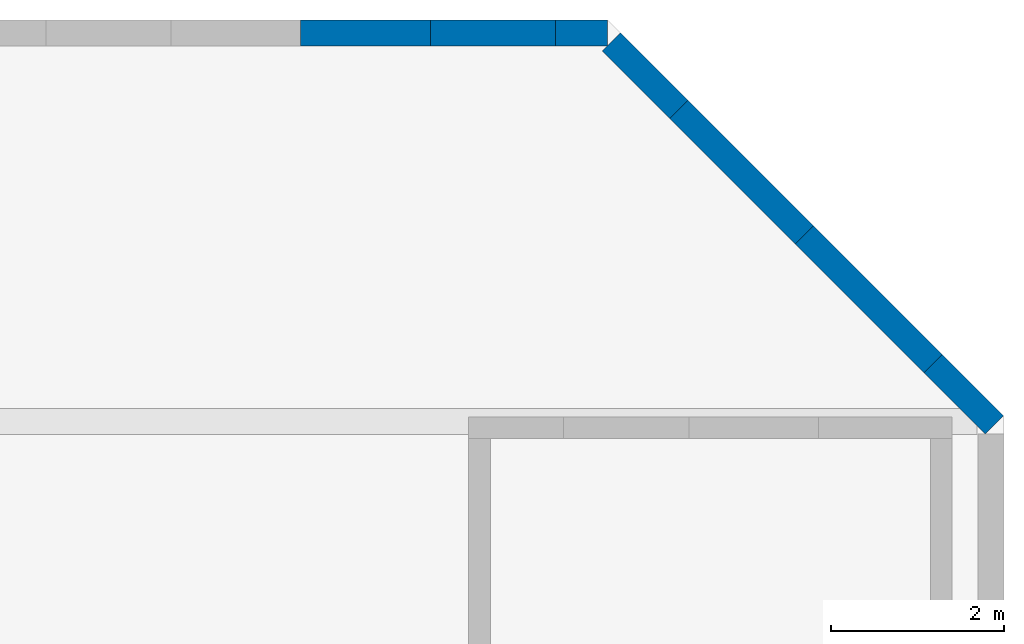
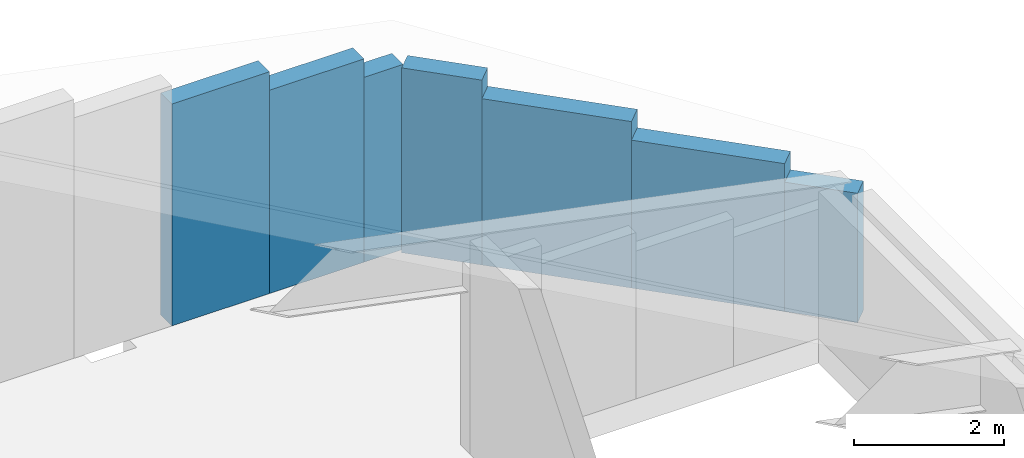
# One storey, part 3 of 4: 7 walls.
"""IFC4 building model written with IfcOpenShell, lengths in metres."""

from ifc_helpers import new_model, si_unit, direction, frame, frame_2d, origin, place, context, subcontext, project, spatial, rectangle, extrude, material, layer, layer_set, type_object, element, save


model = new_model("IFC4")

# Units and contexts
model_context = context("Model", 3, precision=1e-05, world=origin(), true_north=direction((0.0, 1.0)))
body_context = subcontext(model_context, "Body", "Model", "MODEL_VIEW")
ifc_project = project(units=[si_unit("LENGTHUNIT", "METRE"), si_unit("AREAUNIT", "SQUARE_METRE"), si_unit("VOLUMEUNIT", "CUBIC_METRE"), si_unit("PLANEANGLEUNIT", "RADIAN"), si_unit("MASSUNIT", "GRAM", prefix="KILO")], contexts=[model_context])

# Site, building, storey
site_placement = place(None, origin())
site = spatial("IfcSite", under=ifc_project, at=site_placement, CompositionType="ELEMENT")
building_placement = place(site_placement, origin())
building = spatial("IfcBuilding", under=site, at=building_placement, Name="Corbel Stack Research Tower", CompositionType="ELEMENT")
storey_placement = place(building_placement, frame((0.0, 0.0, 329.800048828125)))
storey = spatial("IfcBuildingStorey", under=building, at=storey_placement, Name="RF", CompositionType="ELEMENT", Elevation=329.800048828125)

# Walls
ifc_material = material(Name="Concrete C45/55", Category="concrete")
ifc_layer = layer(ifc_material, 0.300048828125)
ifc_layer_set = layer_set([ifc_layer], Name="Concrete C45/55")
wall_type = type_object("IfcWallType", Name="Precast crest wall 300 C45/55", PredefinedType="SOLIDWALL", material=ifc_layer_set)
wall_1_placement = place(storey_placement, frame((18.038818359375, 17.961181640625, 0.0), z_axis=(0.0, 0.0, 1.0), x_axis=(-0.707106781187, 0.707106781187, 0.0)))
element("IfcWall", 1, at=wall_1_placement, inside=storey, type_object=wall_type, Name="Crest wall 3 part 1", PredefinedType="SOLIDWALL", context=body_context, shape_type="SweptSolid", body=[
    extrude(rectangle(XDim=1.003662109375, YDim=0.300048828125, at=frame_2d((0.501953125, 0.0))), origin(), (0.0, 0.0, 1.0), 2.099853515625),
])
wall_2_placement = place(storey_placement, frame((17.3291015625, 18.6708984375, 0.0), z_axis=(0.0, 0.0, 1.0), x_axis=(-0.707106781187, 0.707106781187, 0.0)))
element("IfcWall", 2, at=wall_2_placement, inside=storey, type_object=wall_type, Name="Crest wall 3 part 2", PredefinedType="SOLIDWALL", context=body_context, shape_type="SweptSolid", body=[
    extrude(rectangle(XDim=2.108154296875, YDim=0.300048828125, at=frame_2d((1.05419921875, 0.0))), origin(), (0.0, 0.0, 1.0), 2.39990234375),
])
wall_3_placement = place(storey_placement, frame((15.83837890625, 20.16162109375, 0.0), z_axis=(0.0, 0.0, 1.0), x_axis=(-0.707106781187, 0.707106781187, 0.0)))
element("IfcWall", 3, at=wall_3_placement, inside=storey, type_object=wall_type, Name="Crest wall 3 part 3", PredefinedType="SOLIDWALL", context=body_context, shape_type="SweptSolid", body=[
    extrude(rectangle(XDim=2.057861328125, YDim=0.300048828125, at=frame_2d((1.02880859375, 0.0))), origin(), (0.0, 0.0, 1.0), 2.699951171875),
])
wall_4_placement = place(storey_placement, frame((14.38330078125, 21.61669921875, 0.0), z_axis=(0.0, 0.0, 1.0), x_axis=(-0.707106781187, 0.707106781187, 0.0)))
element("IfcWall", 4, at=wall_4_placement, inside=storey, type_object=wall_type, Name="Crest wall 3 part 4", PredefinedType="SOLIDWALL", context=body_context, shape_type="SweptSolid", body=[
    extrude(rectangle(XDim=1.104248046875, YDim=0.300048828125, at=frame_2d((0.55224609375, 0.0))), origin(), (0.0, 0.0, 1.0), 3.0),
])
wall_5_placement = place(storey_placement, frame((13.554931640625, 22.5, 0.0), z_axis=(0.0, 0.0, 1.0), x_axis=(-1.0, 0.0, 0.0)))
element("IfcWall", 5, at=wall_5_placement, inside=storey, type_object=wall_type, Name="Crest wall 4 part 1", PredefinedType="SOLIDWALL", context=body_context, shape_type="SweptSolid", body=[
    extrude(rectangle(XDim=0.600341796875, YDim=0.300048828125, at=frame_2d((0.30029296875, 0.0))), origin(), (0.0, 0.0, 1.0), 3.0),
])
wall_6_placement = place(storey_placement, frame((12.95458984375, 22.5, 0.0), z_axis=(0.0, 0.0, 1.0), x_axis=(-1.0, 0.0, 0.0)))
element("IfcWall", 6, at=wall_6_placement, inside=storey, type_object=wall_type, Name="Crest wall 4 part 2", PredefinedType="SOLIDWALL", context=body_context, shape_type="SweptSolid", body=[
    extrude(rectangle(XDim=1.450439453125, YDim=0.300048828125, at=frame_2d((0.72509765625, 0.0))), origin(), (0.0, 0.0, 1.0), 3.300048828125),
])
wall_7_placement = place(storey_placement, frame((11.504150390625, 22.5, 0.0), z_axis=(0.0, 0.0, 1.0), x_axis=(-1.0, 0.0, 0.0)))
element("IfcWall", 7, at=wall_7_placement, inside=storey, type_object=wall_type, Name="Crest wall 4 part 3", PredefinedType="SOLIDWALL", context=body_context, shape_type="SweptSolid", body=[
    extrude(rectangle(XDim=1.500732421875, YDim=0.300048828125, at=frame_2d((0.75048828125, 0.0))), origin(), (0.0, 0.0, 1.0), 3.599853515625),
])

save(model, "model.ifc")
